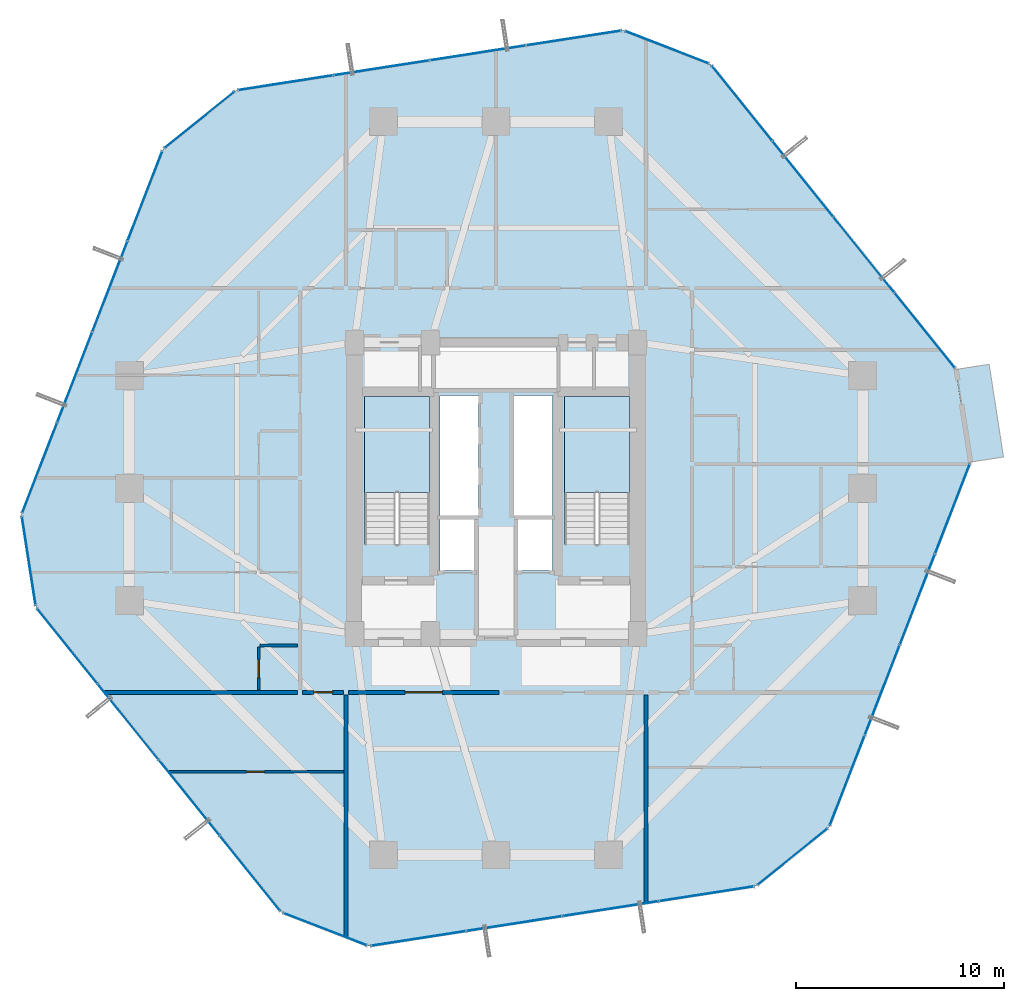
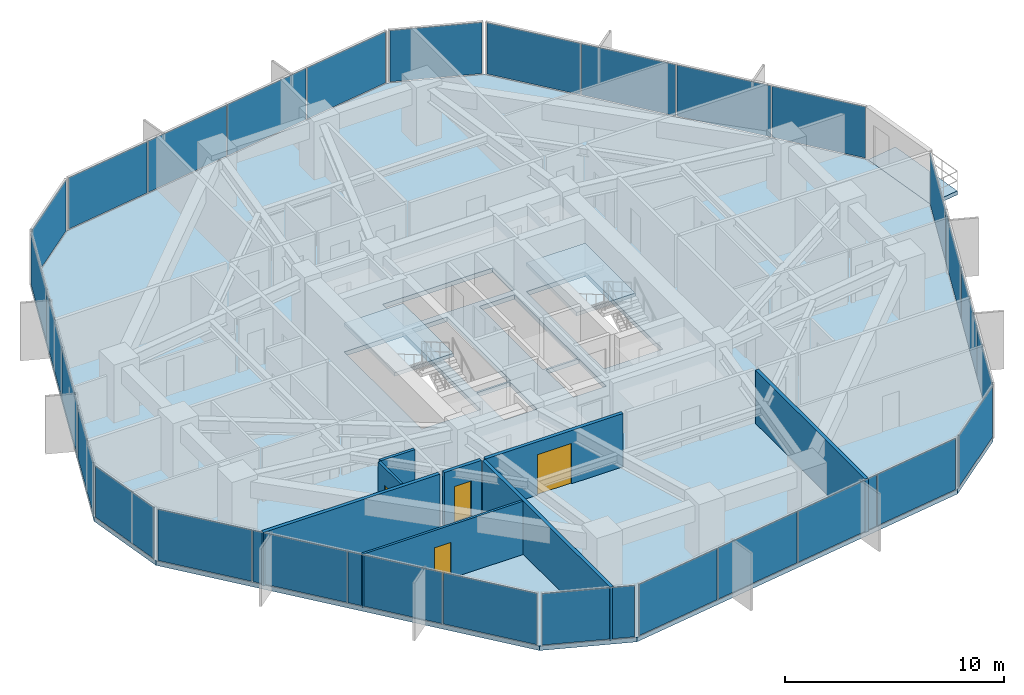
# One storey, part 32 of 37: 29 plates, 8 walls, 4 doors, 4 slabs, 4 openings, 13 elements without a shape of their own.
"""IFC4 building model written with IfcOpenShell, lengths in metres."""

from ifc_helpers import new_model, si_unit, direction, frame, frame_2d, origin, origin_2d, place, context, subcontext, project, spatial, polyline, rectangle, outline, extrude, source, transform, mapped, material, layer, layer_set, type_object, element, fill, aggregate, save


model = new_model("IFC4")

# Units and contexts
model_context = context("Model", 3, precision=1e-05, world=origin(), true_north=direction((0.0, 1.0)))
body_context = subcontext(model_context, "Body", "Model", "MODEL_VIEW")
ifc_project = project(units=[si_unit("LENGTHUNIT", "METRE"), si_unit("AREAUNIT", "SQUARE_METRE"), si_unit("VOLUMEUNIT", "CUBIC_METRE"), si_unit("PLANEANGLEUNIT", "RADIAN"), si_unit("MASSUNIT", "GRAM", prefix="KILO")], contexts=[model_context])

# Site, building, storey
site_placement = place(None, origin())
site = spatial("IfcSite", under=ifc_project, at=site_placement, CompositionType="ELEMENT")
building_placement = place(site_placement, origin())
building = spatial("IfcBuilding", under=site, at=building_placement, Name="Veraguas Prism Commons", CompositionType="ELEMENT")
storey_placement = place(building_placement, frame((0.0, 0.0, 53.300048828125)))
storey = spatial("IfcBuildingStorey", under=building, at=storey_placement, Name="L14", CompositionType="ELEMENT", Elevation=53.300048828125)

# Stair, slab
ifc_material_1 = material(Name="Precast concrete C45/55", Category="concrete")
stair_type = type_object("IfcStairType", Name="Dogleg Core Stair 1480W 20R 05", PredefinedType="HALF_TURN_STAIR", material=ifc_material_1)
stair_1_placement = place(storey_placement, origin())
stair_1 = element("IfcStair", 1, at=stair_1_placement, inside=storey, type_object=stair_type, Name="Protected Exit Stair ST-01 L14", PredefinedType="HALF_TURN_STAIR")
ifc_layer_1 = layer(ifc_material_1, 0.199951171875, Name="Precast Stair and Ramp Landing Slab 200", Category="concrete")
ifc_layer_set_1 = layer_set([ifc_layer_1], Name="Precast concrete C45/55")
slab_type_1 = type_object("IfcSlabType", Name="Precast Stair and Ramp Landing Slab 200", PredefinedType="LANDING", material=ifc_layer_set_1)
slab_1_placement = place(storey_placement, frame((0.0, 0.0, 1.425048828125)))
slab_1 = element("IfcSlab", 2, at=slab_1_placement, type_object=slab_type_1, Name="ST-05 Landing 1", PredefinedType="LANDING", context=body_context, shape_type="SweptSolid", body=[
    extrude(outline(polyline([(20.800048828125, 23.800048828125), (20.800048828125, 28.39990234375), (17.68994140625, 28.39990234375), (17.68994140625, 23.800048828125), (20.800048828125, 23.800048828125)])), origin(), (0.0, 0.0, 1.0), 0.199951171875),
])
aggregate(stair_1, [slab_1])

stair_2_placement = place(storey_placement, origin())
stair_2 = element("IfcStair", 3, at=stair_2_placement, inside=storey, type_object=stair_type, Name="Protected Exit Stair ST-02 L14", PredefinedType="HALF_TURN_STAIR")
slab_2_placement = place(storey_placement, frame((0.0, 0.0, 1.425048828125)))
slab_2 = element("IfcSlab", 4, at=slab_2_placement, type_object=slab_type_1, Name="ST-05 Landing 1", PredefinedType="LANDING", context=body_context, shape_type="SweptSolid", body=[
    extrude(outline(polyline([(30.39990234375, 23.800048828125), (30.39990234375, 28.39990234375), (27.2900390625, 28.39990234375), (27.2900390625, 23.800048828125), (30.39990234375, 23.800048828125)])), origin(), (0.0, 0.0, 1.0), 0.199951171875),
])
aggregate(stair_2, [slab_2])

# Slabs
ifc_material_2 = material(Name="Concrete C45/55", Category="concrete")
ifc_layer_2 = layer(ifc_material_2, 0.219970703125, Name="Recessed Loggia and Terrace Slab RC 220", Category="concrete")
ifc_layer_set_2 = layer_set([ifc_layer_2], Name="Concrete C45/55")
slab_type_2 = type_object("IfcSlabType", Name="Recessed Loggia and Terrace Slab RC 220", PredefinedType="FLOOR", material=ifc_layer_set_2)
slab_3_placement = place(storey_placement, frame((0.0, 0.0, -0.219970703125)))
element("IfcSlab", 5, at=slab_3_placement, inside=storey, type_object=slab_type_2, Name="Recessed Corner Loggia L14-C1", PredefinedType="FLOOR", context=body_context, shape_type="SweptSolid", body=[
    extrude(outline(polyline([(46.7578125, 25.25439453125), (48.358642578125, 25.502685546875), (47.668701171875, 29.949462890625), (46.067626953125, 29.700927734375), (46.7578125, 25.25439453125)])), origin(), (0.0, 0.0, 1.0), 0.219970703125),
])
ifc_layer_3 = layer(ifc_material_2, 0.25, Name="Tower Lower Residential Floor Slab RC 250", Category="concrete")
ifc_layer_set_3 = layer_set([ifc_layer_3], Name="Concrete C45/55")
slab_type_3 = type_object("IfcSlabType", Name="Tower Lower Residential Floor Slab RC 250", PredefinedType="FLOOR", material=ifc_layer_set_3)
slab_4_placement = place(storey_placement, frame((0.0, 0.0, -0.25)))
element("IfcSlab", 6, at=slab_4_placement, inside=storey, type_object=slab_type_3, Name="Tower Floor Slab L14", PredefinedType="FLOOR", context=body_context, shape_type="SweptSolid", body=[
    extrude(outline(polyline([(46.777587890625, 25.25732421875), (46.08740234375, 29.7041015625), (34.2998046875, 44.3544921875), (30.103759765625, 45.98046875), (11.522216796875, 43.09716796875), (8.016357421875, 40.2763671875), (1.222412109375, 22.74267578125), (1.91259765625, 18.2958984375), (13.7001953125, 3.6455078125), (17.896240234375, 2.01953125), (36.477783203125, 4.90283203125), (39.983642578125, 7.7236328125), (46.777587890625, 25.25732421875)]), holes=[polyline([(20.800048828125, 21.31005859375), (20.800048828125, 28.39990234375), (17.68994140625, 28.39990234375), (17.68994140625, 21.31005859375), (20.800048828125, 21.31005859375)]), polyline([(30.39990234375, 21.31005859375), (30.39990234375, 28.39990234375), (27.2900390625, 28.39990234375), (27.2900390625, 21.31005859375), (30.39990234375, 21.31005859375)]), polyline([(21.300048828125, 22.64990234375), (23.14990234375, 22.64990234375), (23.14990234375, 28.449951171875), (21.300048828125, 28.449951171875), (21.300048828125, 22.64990234375)]), polyline([(24.85009765625, 22.64990234375), (26.699951171875, 22.64990234375), (26.699951171875, 28.449951171875), (24.85009765625, 28.449951171875), (24.85009765625, 22.64990234375)]), polyline([(21.10009765625, 28.800048828125), (26.89990234375, 28.800048828125), (26.89990234375, 30.800048828125), (21.10009765625, 30.800048828125), (21.10009765625, 28.800048828125)]), polyline([(21.300048828125, 20.050048828125), (23.050048828125, 20.050048828125), (23.050048828125, 22.550048828125), (21.300048828125, 22.550048828125), (21.300048828125, 20.050048828125)]), polyline([(24.949951171875, 20.050048828125), (26.699951171875, 20.050048828125), (26.699951171875, 22.550048828125), (24.949951171875, 22.550048828125), (24.949951171875, 20.050048828125)])]), origin(), (0.0, 0.0, 1.0), 0.25),
])

# Curtain wall, plates
ifc_material_3 = material(Name="Anodised aluminium EN AW-6063 T6", Category="aluminium")
ifc_layer_4 = layer(ifc_material_3, 0.169921875, Name="Unitised Flush Curtain Wall Zone 1", Category="aluminium")
ifc_layer_set_4 = layer_set([ifc_layer_4], Name="Anodised aluminium EN AW-6063 T6")
curtain_wall_type = type_object("IfcCurtainWallType", Name="Unitised Flush Curtain Wall Zone 1", PredefinedType="NOTDEFINED", material=ifc_layer_set_4)
curtain_wall_1_placement = place(storey_placement, origin())
curtain_wall_1 = element("IfcCurtainWall", 7, at=curtain_wall_1_placement, inside=storey, type_object=curtain_wall_type, Name="Tower Facade Curtain Wall L14-F1", PredefinedType="NOTDEFINED")
ifc_material_4 = material(Name="Laminated low-e glass", Category="glass")
ifc_layer_5 = layer(ifc_material_4, 0.028076171875, Name="Unitised Double Low-E Glazed Panel 28", Category="glass")
ifc_layer_set_5 = layer_set([ifc_layer_5], Name="Laminated low-e glass")
plate_type = type_object("IfcPlateType", Name="Unitised Double Low-E Glazed Panel 28", PredefinedType="CURTAIN_PANEL", material=ifc_layer_set_5)
shared_shape_1 = source(origin(), body_context, "Body", "SweptSolid", [
    extrude(rectangle(XDim=4.5810546875, YDim=0.028076171875, at=origin_2d()), origin(), (0.0, 0.0, 1.0), 2.860107421875),
])
plate_1_placement = place(storey_placement, frame((44.576416015625, 31.58203125, 0.0546875), z_axis=(0.0, 0.0, 1.0), x_axis=(-0.626873093811, 0.779121379668, 0.0)))
plate_1 = element("IfcPlate", 8, at=plate_1_placement, type_object=plate_type, Name="CW-Z1 Panel 1.1", PredefinedType="CURTAIN_PANEL", context=body_context, shape_type="MappedRepresentation", body=[
    mapped(shared_shape_1, transform((0.0, 0.0, 0.0), scale=1.0)),
])
plate_2_placement = place(storey_placement, frame((35.810791015625, 42.4765625, 0.0546875), z_axis=(0.0, 0.0, 1.0), x_axis=(-0.626873093811, 0.779121379668, 0.0)))
plate_2 = element("IfcPlate", 9, at=plate_2_placement, type_object=plate_type, Name="CW-Z1 Panel 4.1", PredefinedType="CURTAIN_PANEL", context=body_context, shape_type="MappedRepresentation", body=[
    mapped(shared_shape_1, transform((0.0, 0.0, 0.0), scale=1.0)),
])

curtain_wall_2_placement = place(storey_placement, origin())
curtain_wall_2 = element("IfcCurtainWall", 10, at=curtain_wall_2_placement, inside=storey, type_object=curtain_wall_type, Name="Tower Facade Curtain Wall L14-F2", PredefinedType="NOTDEFINED")
plate_3_placement = place(storey_placement, frame((27.721923828125, 45.61083984375, 0.0546875), z_axis=(0.0, 0.0, 1.0), x_axis=(-0.98817491911, -0.153330783737, 0.0)))
plate_3 = element("IfcPlate", 11, at=plate_3_placement, type_object=plate_type, Name="CW-Z1 Panel 1.1", PredefinedType="CURTAIN_PANEL", context=body_context, shape_type="MappedRepresentation", body=[
    mapped(shared_shape_1, transform((0.0, 0.0, 0.0), scale=1.0)),
])
plate_4_placement = place(storey_placement, frame((13.904296875, 43.466796875, 0.0546875), z_axis=(0.0, 0.0, 1.0), x_axis=(-0.98817491911, -0.153330783737, 0.0)))
plate_4 = element("IfcPlate", 12, at=plate_4_placement, type_object=plate_type, Name="CW-Z1 Panel 4.1", PredefinedType="CURTAIN_PANEL", context=body_context, shape_type="MappedRepresentation", body=[
    mapped(shared_shape_1, transform((0.0, 0.0, 0.0), scale=1.0)),
])

curtain_wall_3_placement = place(storey_placement, origin())
curtain_wall_3 = element("IfcCurtainWall", 13, at=curtain_wall_3_placement, inside=storey, type_object=curtain_wall_type, Name="Tower Facade Curtain Wall L14-F3", PredefinedType="NOTDEFINED")
plate_5_placement = place(storey_placement, frame((7.145263671875, 38.028564453125, 0.0546875), z_axis=(0.0, 0.0, 1.0), x_axis=(-0.361294223355, -0.932451866946, 0.0)))
plate_5 = element("IfcPlate", 14, at=plate_5_placement, type_object=plate_type, Name="CW-Z1 Panel 1.1", PredefinedType="CURTAIN_PANEL", context=body_context, shape_type="MappedRepresentation", body=[
    mapped(shared_shape_1, transform((0.0, 0.0, 0.0), scale=1.0)),
])
plate_6_placement = place(storey_placement, frame((2.093505859375, 24.990234375, 0.0546875), z_axis=(0.0, 0.0, 1.0), x_axis=(-0.361294223355, -0.932451866946, 0.0)))
plate_6 = element("IfcPlate", 15, at=plate_6_placement, type_object=plate_type, Name="CW-Z1 Panel 4.1", PredefinedType="CURTAIN_PANEL", context=body_context, shape_type="MappedRepresentation", body=[
    mapped(shared_shape_1, transform((0.0, 0.0, 0.0), scale=1.0)),
])

curtain_wall_4_placement = place(storey_placement, origin())
curtain_wall_4 = element("IfcCurtainWall", 16, at=curtain_wall_4_placement, inside=storey, type_object=curtain_wall_type, Name="Tower Facade Curtain Wall L14-F4", PredefinedType="NOTDEFINED")
plate_7_placement = place(storey_placement, frame((3.423583984375, 16.41796875, 0.0546875), z_axis=(0.0, 0.0, 1.0), x_axis=(0.626873093811, -0.779121379668, 0.0)))
plate_7 = element("IfcPlate", 17, at=plate_7_placement, type_object=plate_type, Name="CW-Z1 Panel 1.1", PredefinedType="CURTAIN_PANEL", context=body_context, shape_type="MappedRepresentation", body=[
    mapped(shared_shape_1, transform((0.0, 0.0, 0.0), scale=1.0)),
])
plate_8_placement = place(storey_placement, frame((12.189208984375, 5.5234375, 0.0546875), z_axis=(0.0, 0.0, 1.0), x_axis=(0.626873093811, -0.779121379668, 0.0)))
plate_8 = element("IfcPlate", 18, at=plate_8_placement, type_object=plate_type, Name="CW-Z1 Panel 4.1", PredefinedType="CURTAIN_PANEL", context=body_context, shape_type="MappedRepresentation", body=[
    mapped(shared_shape_1, transform((0.0, 0.0, 0.0), scale=1.0)),
])

curtain_wall_5_placement = place(storey_placement, origin())
curtain_wall_5 = element("IfcCurtainWall", 19, at=curtain_wall_5_placement, inside=storey, type_object=curtain_wall_type, Name="Tower Facade Curtain Wall L14-F5", PredefinedType="NOTDEFINED")
plate_9_placement = place(storey_placement, frame((20.278076171875, 2.38916015625, 0.0546875), z_axis=(0.0, 0.0, 1.0), x_axis=(0.98817491911, 0.153330783737, 0.0)))
plate_9 = element("IfcPlate", 20, at=plate_9_placement, type_object=plate_type, Name="CW-Z1 Panel 1.1", PredefinedType="CURTAIN_PANEL", context=body_context, shape_type="MappedRepresentation", body=[
    mapped(shared_shape_1, transform((0.0, 0.0, 0.0), scale=1.0)),
])
plate_10_placement = place(storey_placement, frame((34.095703125, 4.533203125, 0.0546875), z_axis=(0.0, 0.0, 1.0), x_axis=(0.98817491911, 0.153330783737, 0.0)))
plate_10 = element("IfcPlate", 21, at=plate_10_placement, type_object=plate_type, Name="CW-Z1 Panel 4.1", PredefinedType="CURTAIN_PANEL", context=body_context, shape_type="MappedRepresentation", body=[
    mapped(shared_shape_1, transform((0.0, 0.0, 0.0), scale=1.0)),
])

curtain_wall_6_placement = place(storey_placement, origin())
curtain_wall_6 = element("IfcCurtainWall", 22, at=curtain_wall_6_placement, inside=storey, type_object=curtain_wall_type, Name="Tower Facade Curtain Wall L14-F6", PredefinedType="NOTDEFINED")
plate_11_placement = place(storey_placement, frame((40.854736328125, 9.971435546875, 0.0546875), z_axis=(0.0, 0.0, 1.0), x_axis=(0.361294223355, 0.932451866946, 0.0)))
plate_11 = element("IfcPlate", 23, at=plate_11_placement, type_object=plate_type, Name="CW-Z1 Panel 1.1", PredefinedType="CURTAIN_PANEL", context=body_context, shape_type="MappedRepresentation", body=[
    mapped(shared_shape_1, transform((0.0, 0.0, 0.0), scale=1.0)),
])
plate_12_placement = place(storey_placement, frame((45.906494140625, 23.009765625, 0.0546875), z_axis=(0.0, 0.0, 1.0), x_axis=(0.361294223355, 0.932451866946, 0.0)))
plate_12 = element("IfcPlate", 24, at=plate_12_placement, type_object=plate_type, Name="CW-Z1 Panel 4.1", PredefinedType="CURTAIN_PANEL", context=body_context, shape_type="MappedRepresentation", body=[
    mapped(shared_shape_1, transform((0.0, 0.0, 0.0), scale=1.0)),
])

# Plate
shared_shape_2 = source(origin(), body_context, "Body", "SweptSolid", [
    extrude(rectangle(XDim=4.611083984375, YDim=0.028076171875, at=origin_2d()), origin(), (0.0, 0.0, 1.0), 2.860107421875),
])
plate_13_placement = place(storey_placement, frame((41.65771484375, 35.209716796875, 0.0546875), z_axis=(0.0, 0.0, 1.0), x_axis=(-0.626873093811, 0.779121379668, 0.0)))
plate_13 = element("IfcPlate", 25, at=plate_13_placement, type_object=plate_type, Name="CW-Z1 Panel 2.1", PredefinedType="CURTAIN_PANEL", context=body_context, shape_type="MappedRepresentation", body=[
    mapped(shared_shape_2, transform((0.0, 0.0, 0.0), scale=1.0)),
])

plate_14_placement = place(storey_placement, frame((38.7294921875, 38.848876953125, 0.0546875), z_axis=(0.0, 0.0, 1.0), x_axis=(-0.626873093811, 0.779121379668, 0.0)))
plate_14 = element("IfcPlate", 26, at=plate_14_placement, type_object=plate_type, Name="CW-Z1 Panel 3.1", PredefinedType="CURTAIN_PANEL", context=body_context, shape_type="MappedRepresentation", body=[
    mapped(shared_shape_2, transform((0.0, 0.0, 0.0), scale=1.0)),
])

aggregate(curtain_wall_1, [plate_1, plate_13, plate_14, plate_2])

plate_15_placement = place(storey_placement, frame((5.463134765625, 33.687255859375, 0.0546875), z_axis=(0.0, 0.0, 1.0), x_axis=(-0.361294223355, -0.932451866946, 0.0)))
plate_15 = element("IfcPlate", 27, at=plate_15_placement, type_object=plate_type, Name="CW-Z1 Panel 2.1", PredefinedType="CURTAIN_PANEL", context=body_context, shape_type="MappedRepresentation", body=[
    mapped(shared_shape_2, transform((0.0, 0.0, 0.0), scale=1.0)),
])

plate_16_placement = place(storey_placement, frame((3.775634765625, 29.331787109375, 0.0546875), z_axis=(0.0, 0.0, 1.0), x_axis=(-0.361294223355, -0.932451866946, 0.0)))
plate_16 = element("IfcPlate", 28, at=plate_16_placement, type_object=plate_type, Name="CW-Z1 Panel 3.1", PredefinedType="CURTAIN_PANEL", context=body_context, shape_type="MappedRepresentation", body=[
    mapped(shared_shape_2, transform((0.0, 0.0, 0.0), scale=1.0)),
])

aggregate(curtain_wall_3, [plate_5, plate_15, plate_16, plate_6])

plate_17_placement = place(storey_placement, frame((6.34228515625, 12.790283203125, 0.0546875), z_axis=(0.0, 0.0, 1.0), x_axis=(0.626873093811, -0.779121379668, 0.0)))
plate_17 = element("IfcPlate", 29, at=plate_17_placement, type_object=plate_type, Name="CW-Z1 Panel 2.1", PredefinedType="CURTAIN_PANEL", context=body_context, shape_type="MappedRepresentation", body=[
    mapped(shared_shape_2, transform((0.0, 0.0, 0.0), scale=1.0)),
])

plate_18_placement = place(storey_placement, frame((9.2705078125, 9.151123046875, 0.0546875), z_axis=(0.0, 0.0, 1.0), x_axis=(0.626873093811, -0.779121379668, 0.0)))
plate_18 = element("IfcPlate", 30, at=plate_18_placement, type_object=plate_type, Name="CW-Z1 Panel 3.1", PredefinedType="CURTAIN_PANEL", context=body_context, shape_type="MappedRepresentation", body=[
    mapped(shared_shape_2, transform((0.0, 0.0, 0.0), scale=1.0)),
])

aggregate(curtain_wall_4, [plate_7, plate_17, plate_18, plate_8])

plate_19_placement = place(storey_placement, frame((42.536865234375, 14.312744140625, 0.0546875), z_axis=(0.0, 0.0, 1.0), x_axis=(0.361294223355, 0.932451866946, 0.0)))
plate_19 = element("IfcPlate", 31, at=plate_19_placement, type_object=plate_type, Name="CW-Z1 Panel 2.1", PredefinedType="CURTAIN_PANEL", context=body_context, shape_type="MappedRepresentation", body=[
    mapped(shared_shape_2, transform((0.0, 0.0, 0.0), scale=1.0)),
])

plate_20_placement = place(storey_placement, frame((44.224365234375, 18.668212890625, 0.0546875), z_axis=(0.0, 0.0, 1.0), x_axis=(0.361294223355, 0.932451866946, 0.0)))
plate_20 = element("IfcPlate", 32, at=plate_20_placement, type_object=plate_type, Name="CW-Z1 Panel 3.1", PredefinedType="CURTAIN_PANEL", context=body_context, shape_type="MappedRepresentation", body=[
    mapped(shared_shape_2, transform((0.0, 0.0, 0.0), scale=1.0)),
])

aggregate(curtain_wall_6, [plate_11, plate_19, plate_20, plate_12])

shared_shape_3 = source(origin(), body_context, "Body", "SweptSolid", [
    extrude(rectangle(XDim=4.61083984375, YDim=0.028076171875, at=origin_2d()), origin(), (0.0, 0.0, 1.0), 2.860107421875),
])
plate_21_placement = place(storey_placement, frame((23.120849609375, 44.89697265625, 0.0546875), z_axis=(0.0, 0.0, 1.0), x_axis=(-0.98817491911, -0.153330783737, 0.0)))
plate_21 = element("IfcPlate", 33, at=plate_21_placement, type_object=plate_type, Name="CW-Z1 Panel 2.1", PredefinedType="CURTAIN_PANEL", context=body_context, shape_type="MappedRepresentation", body=[
    mapped(shared_shape_3, transform((0.0, 0.0, 0.0), scale=1.0)),
])

plate_22_placement = place(storey_placement, frame((18.505126953125, 44.1806640625, 0.0546875), z_axis=(0.0, 0.0, 1.0), x_axis=(-0.98817491911, -0.153330783737, 0.0)))
plate_22 = element("IfcPlate", 34, at=plate_22_placement, type_object=plate_type, Name="CW-Z1 Panel 3.1", PredefinedType="CURTAIN_PANEL", context=body_context, shape_type="MappedRepresentation", body=[
    mapped(shared_shape_3, transform((0.0, 0.0, 0.0), scale=1.0)),
])

aggregate(curtain_wall_2, [plate_3, plate_21, plate_22, plate_4])

plate_23_placement = place(storey_placement, frame((24.879150390625, 3.10302734375, 0.0546875), z_axis=(0.0, 0.0, 1.0), x_axis=(0.98817491911, 0.153330783737, 0.0)))
plate_23 = element("IfcPlate", 35, at=plate_23_placement, type_object=plate_type, Name="CW-Z1 Panel 2.1", PredefinedType="CURTAIN_PANEL", context=body_context, shape_type="MappedRepresentation", body=[
    mapped(shared_shape_3, transform((0.0, 0.0, 0.0), scale=1.0)),
])

plate_24_placement = place(storey_placement, frame((29.494873046875, 3.8193359375, 0.0546875), z_axis=(0.0, 0.0, 1.0), x_axis=(0.98817491911, 0.153330783737, 0.0)))
plate_24 = element("IfcPlate", 36, at=plate_24_placement, type_object=plate_type, Name="CW-Z1 Panel 3.1", PredefinedType="CURTAIN_PANEL", context=body_context, shape_type="MappedRepresentation", body=[
    mapped(shared_shape_3, transform((0.0, 0.0, 0.0), scale=1.0)),
])

aggregate(curtain_wall_5, [plate_9, plate_23, plate_24, plate_10])

# Curtain wall, plate
curtain_wall_7_placement = place(storey_placement, origin())
curtain_wall_7 = element("IfcCurtainWall", 37, at=curtain_wall_7_placement, inside=storey, type_object=curtain_wall_type, Name="Chamfer Curtain Wall L14-C2", PredefinedType="NOTDEFINED")
shared_shape_4 = source(origin(), body_context, "Body", "SweptSolid", [
    extrude(rectangle(XDim=4.260009765625, YDim=0.028076171875, at=origin_2d()), origin(), (0.0, 0.0, 1.0), 2.860107421875),
])
plate_25_placement = place(storey_placement, frame((32.201904296875, 45.16748046875, 0.0546875), z_axis=(0.0, 0.0, 1.0), x_axis=(-0.932458803125, 0.361276321498, 0.0)))
plate_25 = element("IfcPlate", 38, at=plate_25_placement, type_object=plate_type, Name="CW-Z1 Panel 1.1", PredefinedType="CURTAIN_PANEL", context=body_context, shape_type="MappedRepresentation", body=[
    mapped(shared_shape_4, transform((0.0, 0.0, 0.0), scale=1.0)),
])
aggregate(curtain_wall_7, [plate_25])

curtain_wall_8_placement = place(storey_placement, origin())
curtain_wall_8 = element("IfcCurtainWall", 39, at=curtain_wall_8_placement, inside=storey, type_object=curtain_wall_type, Name="Chamfer Curtain Wall L14-C3", PredefinedType="NOTDEFINED")
plate_26_placement = place(storey_placement, frame((9.769287109375, 41.686767578125, 0.0546875), z_axis=(0.0, 0.0, 1.0), x_axis=(-0.779125756049, -0.626867654502, 0.0)))
plate_26 = element("IfcPlate", 40, at=plate_26_placement, type_object=plate_type, Name="CW-Z1 Panel 1.1", PredefinedType="CURTAIN_PANEL", context=body_context, shape_type="MappedRepresentation", body=[
    mapped(shared_shape_4, transform((0.0, 0.0, 0.0), scale=1.0)),
])
aggregate(curtain_wall_8, [plate_26])

curtain_wall_9_placement = place(storey_placement, origin())
curtain_wall_9 = element("IfcCurtainWall", 41, at=curtain_wall_9_placement, inside=storey, type_object=curtain_wall_type, Name="Chamfer Curtain Wall L14-C4", PredefinedType="NOTDEFINED")
plate_27_placement = place(storey_placement, frame((1.5673828125, 20.519287109375, 0.0546875), z_axis=(0.0, 0.0, 1.0), x_axis=(0.153337682496, -0.988173848635, 0.0)))
plate_27 = element("IfcPlate", 42, at=plate_27_placement, type_object=plate_type, Name="CW-Z1 Panel 1.1", PredefinedType="CURTAIN_PANEL", context=body_context, shape_type="MappedRepresentation", body=[
    mapped(shared_shape_4, transform((0.0, 0.0, 0.0), scale=1.0)),
])
aggregate(curtain_wall_9, [plate_27])

curtain_wall_10_placement = place(storey_placement, origin())
curtain_wall_10 = element("IfcCurtainWall", 43, at=curtain_wall_10_placement, inside=storey, type_object=curtain_wall_type, Name="Chamfer Curtain Wall L14-C5", PredefinedType="NOTDEFINED")
plate_28_placement = place(storey_placement, frame((15.798095703125, 2.83251953125, 0.0546875), z_axis=(0.0, 0.0, 1.0), x_axis=(0.932458803125, -0.361276321498, 0.0)))
plate_28 = element("IfcPlate", 44, at=plate_28_placement, type_object=plate_type, Name="CW-Z1 Panel 1.1", PredefinedType="CURTAIN_PANEL", context=body_context, shape_type="MappedRepresentation", body=[
    mapped(shared_shape_4, transform((0.0, 0.0, 0.0), scale=1.0)),
])
aggregate(curtain_wall_10, [plate_28])

curtain_wall_11_placement = place(storey_placement, origin())
curtain_wall_11 = element("IfcCurtainWall", 45, at=curtain_wall_11_placement, inside=storey, type_object=curtain_wall_type, Name="Chamfer Curtain Wall L14-C6", PredefinedType="NOTDEFINED")
plate_29_placement = place(storey_placement, frame((38.230712890625, 6.313232421875, 0.0546875), z_axis=(0.0, 0.0, 1.0), x_axis=(0.779125756049, 0.626867654502, 0.0)))
plate_29 = element("IfcPlate", 46, at=plate_29_placement, type_object=plate_type, Name="CW-Z1 Panel 1.1", PredefinedType="CURTAIN_PANEL", context=body_context, shape_type="MappedRepresentation", body=[
    mapped(shared_shape_4, transform((0.0, 0.0, 0.0), scale=1.0)),
])
aggregate(curtain_wall_11, [plate_29])

# Walls
ifc_material_5 = material(Name="Autoclaved aerated masonry block 10 MPa", Category="masonry")
ifc_layer_6 = layer(ifc_material_5, 0.179931640625, Name="Corridor and Inter-Tenancy Partition 180", Category="masonry")
ifc_layer_set_6 = layer_set([ifc_layer_6], Name="Autoclaved aerated masonry block 10 MPa")
wall_type_1 = type_object("IfcWallType", Name="Corridor and Inter-Tenancy Partition 180", PredefinedType="PARTITIONING", material=ifc_layer_set_6)
wall_1_placement = place(storey_placement, frame((16.800048828125, 14.080078125, 0.0), z_axis=(0.0, 0.0, 1.0), x_axis=(0.0, -1.0, 0.0)))
element("IfcWall", 47, at=wall_1_placement, inside=storey, type_object=wall_type_1, Name="WL-L14-PT001", PredefinedType="PARTITIONING", context=body_context, shape_type="SweptSolid", body=[
    extrude(rectangle(XDim=11.66796875, YDim=0.179931640625, at=frame_2d((5.833984375, 0.0))), origin(), (0.0, 0.0, 1.0), 2.969970703125),
])
wall_2_placement = place(storey_placement, frame((31.199951171875, 14.080078125, 0.0), z_axis=(0.0, 0.0, 1.0), x_axis=(0.0, -1.0, 0.0)))
element("IfcWall", 48, at=wall_2_placement, inside=storey, type_object=wall_type_1, Name="WL-L14-PT002", PredefinedType="PARTITIONING", context=body_context, shape_type="SweptSolid", body=[
    extrude(rectangle(XDim=10.026611328125, YDim=0.179931640625, at=frame_2d((5.01318359375, 0.0))), origin(), (0.0, 0.0, 1.0), 2.969970703125),
])

# Wall, opening, door
wall_3_placement = place(storey_placement, frame((16.909912109375, 14.199951171875, 0.0), z_axis=(0.0, 0.0, 1.0), x_axis=(1.0, 0.0, 0.0)))
wall_3 = element("IfcWall", 49, at=wall_3_placement, inside=storey, type_object=wall_type_1, Name="WL-L14-PT003", PredefinedType="PARTITIONING", context=body_context, shape_type="SweptSolid", body=[
    extrude(rectangle(XDim=7.238037109375, YDim=0.179931640625, at=frame_2d((3.619140625, 0.0))), origin(), (0.0, 0.0, 1.0), 2.969970703125),
])
opening_1_placement = place(wall_3_placement, frame((2.718994140625, 0.0, 0.0)))
opening_1 = element("IfcOpeningElement", 50, at=opening_1_placement, cuts=wall_3, Name="Opening DR-07", PredefinedType="OPENING", context=body_context, shape_type="SweptSolid", body=[
    extrude(rectangle(XDim=1.800048828125, YDim=2.25, at=frame_2d((0.89990234375, 1.125))), frame((0.0, 0.099853515625, 0.0), z_axis=(0.0, -1.0, 0.0), x_axis=(1.0, 0.0, 0.0)), (0.0, 0.0, 1.0), 0.199951171875),
])
ifc_material_6 = material(Name="Steel fire-rated door assembly", Category="steel")
door_type_1 = type_object("IfcDoorType", Name="Corridor Double Fire Door 1800x2250", OperationType="NOTDEFINED", PredefinedType="DOOR", material=ifc_material_6)
shared_shape_5 = source(origin(), body_context, "Body", "SweptSolid", [
    extrude(rectangle(XDim=1.800048828125, YDim=2.25, at=frame_2d((0.89990234375, 1.125))), frame((0.0, 0.02490234375, 0.0), z_axis=(0.0, -1.0, 0.0), x_axis=(1.0, 0.0, 0.0)), (0.0, 0.0, 1.0), 0.050048828125),
])
door_1_placement = place(opening_1_placement, origin())
door_1 = element("IfcDoor", 51, at=door_1_placement, inside=storey, type_object=door_type_1, Name="Community Multipurpose Assembly Hall Door 1", OperationType="SINGLE_SWING_LEFT", OverallHeight=2.25, OverallWidth=1.800048828125, PredefinedType="DOOR", context=body_context, shape_type="MappedRepresentation", body=[
    mapped(shared_shape_5, transform((0.0, 0.0, 0.0), scale=1.0)),
])
fill(opening_1, door_1)

# Wall
wall_4_placement = place(storey_placement, frame((14.47998046875, 14.199951171875, 0.0), z_axis=(0.0, 0.0, 1.0), x_axis=(-1.0, 0.0, 0.0)))
element("IfcWall", 52, at=wall_4_placement, inside=storey, type_object=wall_type_1, Name="WL-L14-PT016", PredefinedType="PARTITIONING", context=body_context, shape_type="SweptSolid", body=[
    extrude(rectangle(XDim=9.310546875, YDim=0.179931640625, at=frame_2d((4.6552734375, 0.0))), origin(), (0.0, 0.0, 1.0), 2.969970703125),
])

# Wall, opening, door
wall_5_placement = place(storey_placement, frame((14.719970703125, 14.199951171875, 0.0), z_axis=(0.0, 0.0, 1.0), x_axis=(1.0, 0.0, 0.0)))
wall_5 = element("IfcWall", 53, at=wall_5_placement, inside=storey, type_object=wall_type_1, Name="WL-L14-PT049", PredefinedType="PARTITIONING", context=body_context, shape_type="SweptSolid", body=[
    extrude(rectangle(XDim=1.9599609375, YDim=0.179931640625, at=frame_2d((0.97998046875, 0.0))), origin(), (0.0, 0.0, 1.0), 2.969970703125),
])
opening_2_placement = place(wall_5_placement, frame((0.530029296875, 0.0, 0.0)))
opening_2 = element("IfcOpeningElement", 54, at=opening_2_placement, cuts=wall_5, Name="Opening DR-14", PredefinedType="OPENING", context=body_context, shape_type="SweptSolid", body=[
    extrude(rectangle(XDim=0.89990234375, YDim=2.010009765625, at=frame_2d((0.449951171875, 1.0048828125))), frame((0.0, 0.099853515625, 0.0), z_axis=(0.0, -1.0, 0.0), x_axis=(1.0, 0.0, 0.0)), (0.0, 0.0, 1.0), 0.199951171875),
])
door_type_2 = type_object("IfcDoorType", Name="Core Service Room Fire Door 900x2010", OperationType="NOTDEFINED", PredefinedType="DOOR", material=ifc_material_6)
shared_shape_6 = source(origin(), body_context, "Body", "SweptSolid", [
    extrude(rectangle(XDim=0.89990234375, YDim=2.010009765625, at=frame_2d((0.449951171875, 1.0048828125))), frame((0.0, 0.02490234375, 0.0), z_axis=(0.0, -1.0, 0.0), x_axis=(1.0, 0.0, 0.0)), (0.0, 0.0, 1.0), 0.050048828125),
])
door_2_placement = place(opening_2_placement, origin())
door_2 = element("IfcDoor", 55, at=door_2_placement, inside=storey, type_object=door_type_2, Name="Shared Laundry Room Door", OperationType="SINGLE_SWING_RIGHT", OverallHeight=2.010009765625, OverallWidth=0.89990234375, PredefinedType="DOOR", context=body_context, shape_type="MappedRepresentation", body=[
    mapped(shared_shape_6, transform((0.0, 0.0, 0.0), scale=1.0)),
])
fill(opening_2, door_2)

ifc_material_7 = material(Name="Lightweight acoustic gypsum board")
ifc_layer_7 = layer(ifc_material_7, 0.125, Name="Internal Apartment Room Partition 125")
ifc_layer_set_7 = layer_set([ifc_layer_7], Name="Lightweight acoustic gypsum board")
wall_type_2 = type_object("IfcWallType", Name="Internal Apartment Room Partition 125", PredefinedType="PARTITIONING", material=ifc_layer_set_7)
wall_6_placement = place(storey_placement, frame((12.60009765625, 14.320068359375, 0.0), z_axis=(0.0, 0.0, 1.0), x_axis=(0.0, 1.0, 0.0)))
wall_6 = element("IfcWall", 56, at=wall_6_placement, inside=storey, type_object=wall_type_2, Name="WL-L14-PT020", PredefinedType="PARTITIONING", context=body_context, shape_type="SweptSolid", body=[
    extrude(rectangle(XDim=2.050048828125, YDim=0.125, at=frame_2d((1.02490234375, 0.0))), origin(), (0.0, 0.0, 1.0), 2.969970703125),
])
opening_3_placement = place(wall_6_placement, frame((0.594970703125, 0.0, 0.0)))
opening_3 = element("IfcOpeningElement", 57, at=opening_3_placement, cuts=wall_6, Name="Opening DR-03", PredefinedType="OPENING", context=body_context, shape_type="SweptSolid", body=[
    extrude(rectangle(XDim=0.860107421875, YDim=2.010009765625, at=frame_2d((0.43017578125, 1.0048828125))), frame((0.0, 0.072509765625, 0.0), z_axis=(0.0, -1.0, 0.0), x_axis=(1.0, 0.0, 0.0)), (0.0, 0.0, 1.0), 0.14501953125),
])
ifc_material_8 = material(Name="Timber moisture-resistant leaf", Category="wood")
door_type_3 = type_object("IfcDoorType", Name="Internal Bathroom Door 860x2010", OperationType="NOTDEFINED", PredefinedType="DOOR", material=ifc_material_8)
shared_shape_7 = source(origin(), body_context, "Body", "SweptSolid", [
    extrude(rectangle(XDim=0.860107421875, YDim=2.010009765625, at=frame_2d((0.43017578125, 1.0048828125))), frame((0.0, 0.02490234375, 0.0), z_axis=(0.0, -1.0, 0.0), x_axis=(1.0, 0.0, 0.0)), (0.0, 0.0, 1.0), 0.050048828125),
])
door_3_placement = place(opening_3_placement, origin())
door_3 = element("IfcDoor", 58, at=door_3_placement, inside=storey, type_object=door_type_3, Name="Flat 14A Bathroom Door", OperationType="SINGLE_SWING_RIGHT", OverallHeight=2.010009765625, OverallWidth=0.860107421875, PredefinedType="DOOR", context=body_context, shape_type="MappedRepresentation", body=[
    mapped(shared_shape_7, transform((0.0, 0.0, 0.0), scale=1.0)),
])
fill(opening_3, door_3)

wall_7_placement = place(storey_placement, frame((8.22705078125, 10.39990234375, 0.0), z_axis=(0.0, 0.0, 1.0), x_axis=(1.0, 0.0, 0.0)))
wall_7 = element("IfcWall", 59, at=wall_7_placement, inside=storey, type_object=wall_type_2, Name="WL-L14-PT050", PredefinedType="PARTITIONING", context=body_context, shape_type="SweptSolid", body=[
    extrude(rectangle(XDim=8.452880859375, YDim=0.125, at=frame_2d((4.2265625, 0.0))), origin(), (0.0, 0.0, 1.0), 2.969970703125),
])
opening_4_placement = place(wall_7_placement, frame((3.79638671875, 0.0, 0.0)))
opening_4 = element("IfcOpeningElement", 60, at=opening_4_placement, cuts=wall_7, Name="Opening DR-03", PredefinedType="OPENING", context=body_context, shape_type="SweptSolid", body=[
    extrude(rectangle(XDim=0.860107421875, YDim=2.010009765625, at=frame_2d((0.43017578125, 1.0048828125))), frame((0.0, 0.072509765625, 0.0), z_axis=(0.0, -1.0, 0.0), x_axis=(1.0, 0.0, 0.0)), (0.0, 0.0, 1.0), 0.14501953125),
])
door_4_placement = place(opening_4_placement, origin())
door_4 = element("IfcDoor", 61, at=door_4_placement, inside=storey, type_object=door_type_3, Name="Corner Store SW Door", OperationType="SINGLE_SWING_LEFT", OverallHeight=2.010009765625, OverallWidth=0.860107421875, PredefinedType="DOOR", context=body_context, shape_type="MappedRepresentation", body=[
    mapped(shared_shape_7, transform((0.0, 0.0, 0.0), scale=1.0)),
])
fill(opening_4, door_4)

# Wall
ifc_layer_8 = layer(ifc_material_7, 0.14990234375, Name="Wet Room and Clinic Acoustic Partition 150")
ifc_layer_set_8 = layer_set([ifc_layer_8], Name="Lightweight acoustic gypsum board")
wall_type_3 = type_object("IfcWallType", Name="Wet Room and Clinic Acoustic Partition 150", PredefinedType="PARTITIONING", material=ifc_layer_set_8)
wall_8_placement = place(storey_placement, frame((14.47998046875, 16.449951171875, 0.0), z_axis=(0.0, 0.0, 1.0), x_axis=(-1.0, 0.0, 0.0)))
element("IfcWall", 62, at=wall_8_placement, inside=storey, type_object=wall_type_3, Name="WL-L14-PT019", PredefinedType="PARTITIONING", context=body_context, shape_type="SweptSolid", body=[
    extrude(rectangle(XDim=1.800048828125, YDim=0.14990234375, at=frame_2d((0.89990234375, 0.0))), origin(), (0.0, 0.0, 1.0), 2.969970703125),
])

save(model, "model.ifc")
